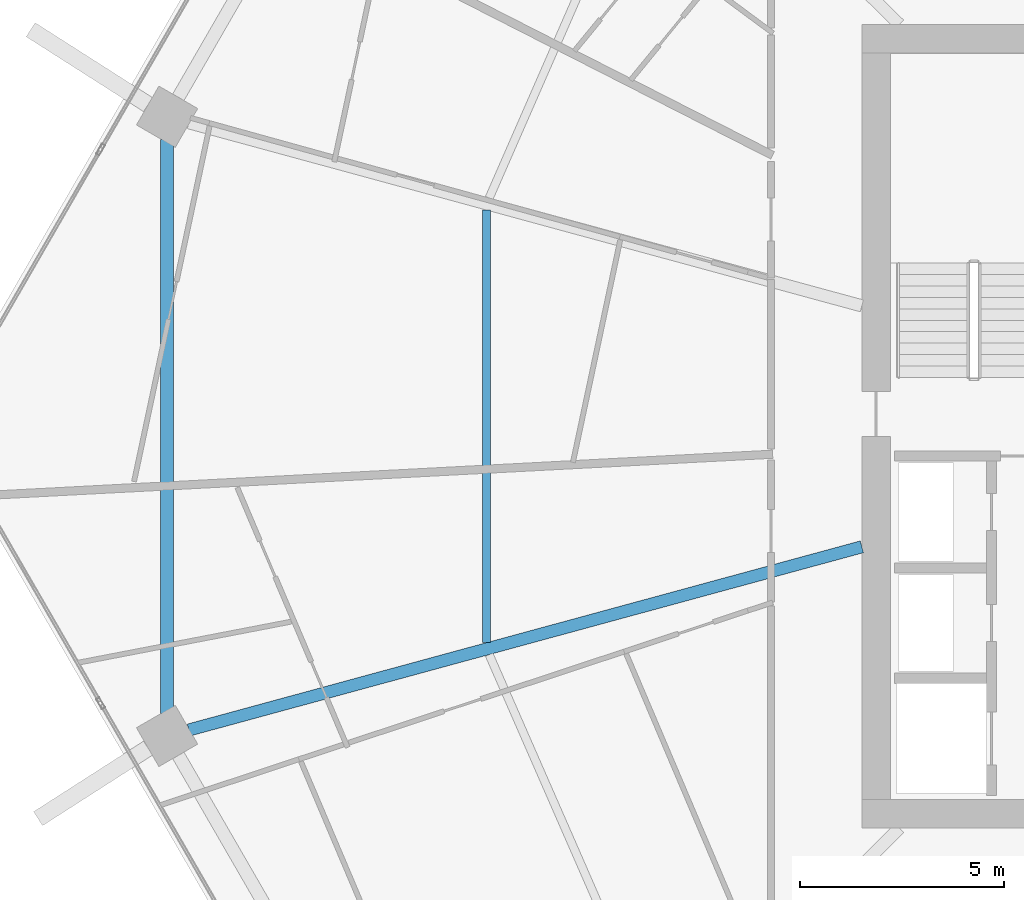
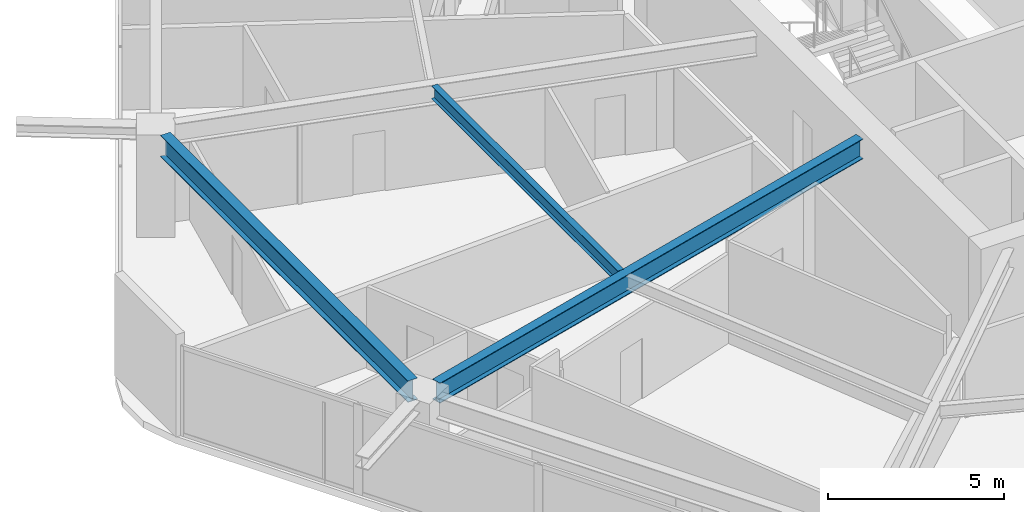
# One storey, part 6 of 33: 3 beams.
"""IFC4 building model written with IfcOpenShell, lengths in metres."""

from ifc_helpers import new_model, si_unit, direction, frame, origin, origin_2d, place, context, subcontext, project, spatial, i_section, extrude, material, material_profile, profile_set, type_object, element, save


model = new_model("IFC4")

# Units and contexts
model_context = context("Model", 3, precision=1e-05, world=origin(), true_north=direction((0.0, 1.0)))
body_context = subcontext(model_context, "Body", "Model", "MODEL_VIEW")
ifc_project = project(units=[si_unit("LENGTHUNIT", "METRE"), si_unit("AREAUNIT", "SQUARE_METRE"), si_unit("VOLUMEUNIT", "CUBIC_METRE"), si_unit("PLANEANGLEUNIT", "RADIAN"), si_unit("MASSUNIT", "GRAM", prefix="KILO")], contexts=[model_context])

# Site, building, storey
site_placement = place(None, origin())
site = spatial("IfcSite", under=ifc_project, at=site_placement, CompositionType="ELEMENT")
building_placement = place(site_placement, origin())
building = spatial("IfcBuilding", under=site, at=building_placement, Name="Zuhravey Tower", CompositionType="ELEMENT")
storey_placement = place(building_placement, frame((0.0, 0.0, 126.60009765625)))
storey = spatial("IfcBuildingStorey", under=building, at=storey_placement, Name="L31", CompositionType="ELEMENT", Elevation=126.60009765625)

# Beams
ifc_material = material(Name="Steel SM355", Category="steel")
ifc_material_profile_1 = material_profile(ifc_material, i_section(OverallWidth=0.320068359375, OverallDepth=0.75, WebThickness=0.013916015625, FlangeThickness=0.02490234375, at=origin_2d()), Name="H-750x320x14x25")
ifc_profile_set_1 = profile_set([ifc_material_profile_1], Name="Steel SM355")
beam_type_1 = type_object("IfcBeamType", Name="Perimeter Ring Beam H750x320", PredefinedType="BEAM", material=ifc_profile_set_1)
beam_1_placement = place(storey_placement, frame((8.11083984375, 39.03857421875, 3.1748046875), z_axis=(0.0, -1.0, 0.0), x_axis=(1.0, 0.0, 0.0)))
element("IfcBeam", 1, at=beam_1_placement, inside=storey, type_object=beam_type_1, Name="L31 PB1 BM-L31-PB-06", PredefinedType="BEAM", context=body_context, shape_type="SweptSolid", body=[
    extrude(i_section(OverallWidth=0.320068359375, OverallDepth=0.75, WebThickness=0.013916015625, FlangeThickness=0.02490234375, at=origin_2d()), origin(), (0.0, 0.0, 1.0), 14.0771484375),
])
ifc_material_profile_2 = material_profile(ifc_material, i_section(OverallWidth=0.300048828125, OverallDepth=0.699951171875, WebThickness=0.012939453125, FlangeThickness=0.02392578125, at=origin_2d()), Name="H-700x300x13x24")
ifc_profile_set_2 = profile_set([ifc_material_profile_2], Name="Steel SM355")
beam_type_2 = type_object("IfcBeamType", Name="Radial Primary Girder H700x300", PredefinedType="BEAM", material=ifc_profile_set_2)
beam_2_placement = place(storey_placement, frame((25.14697265625, 29.045654296875, 3.199951171875), z_axis=(-0.964893166225, -0.262642680791, 0.0), x_axis=(0.262642680791, -0.964893166225, 0.0)))
element("IfcBeam", 2, at=beam_2_placement, inside=storey, type_object=beam_type_2, Name="L31 RG1 BM-L31-RAD-07", PredefinedType="BEAM", context=body_context, shape_type="SweptSolid", body=[
    extrude(i_section(OverallWidth=0.300048828125, OverallDepth=0.699951171875, WebThickness=0.012939453125, FlangeThickness=0.02392578125, at=origin_2d()), origin(), (0.0, 0.0, 1.0), 17.102783203125),
])
ifc_material_profile_3 = material_profile(ifc_material, i_section(OverallWidth=0.199951171875, OverallDepth=0.449951171875, WebThickness=0.009033203125, FlangeThickness=0.013916015625, at=origin_2d()), Name="H-450x200x9x14")
ifc_profile_set_3 = profile_set([ifc_material_profile_3], Name="Steel SM355")
beam_type_3 = type_object("IfcBeamType", Name="Secondary Floor Joist H450x200", PredefinedType="JOIST", material=ifc_profile_set_3)
beam_3_placement = place(storey_placement, frame((15.947509765625, 37.304443359375, 3.324951171875), z_axis=(0.0, -1.0, 0.0), x_axis=(1.0, 0.0, 0.0)))
element("IfcBeam", 3, at=beam_3_placement, inside=storey, type_object=beam_type_3, Name="L31 SJ1 BM-L31-SJ-06-1", PredefinedType="JOIST", context=body_context, shape_type="SweptSolid", body=[
    extrude(i_section(OverallWidth=0.199951171875, OverallDepth=0.449951171875, WebThickness=0.009033203125, FlangeThickness=0.013916015625, at=origin_2d()), origin(), (0.0, 0.0, 1.0), 10.60888671875),
])

save(model, "model.ifc")
